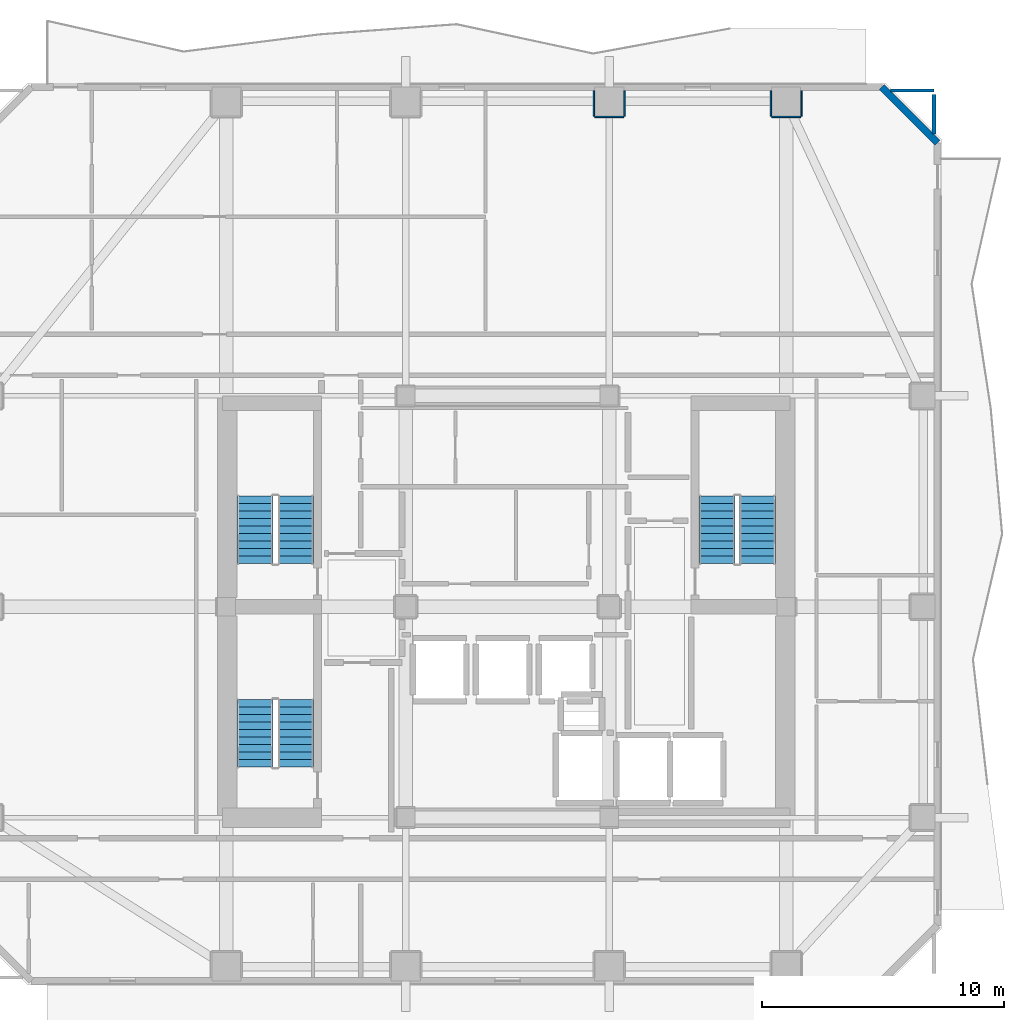
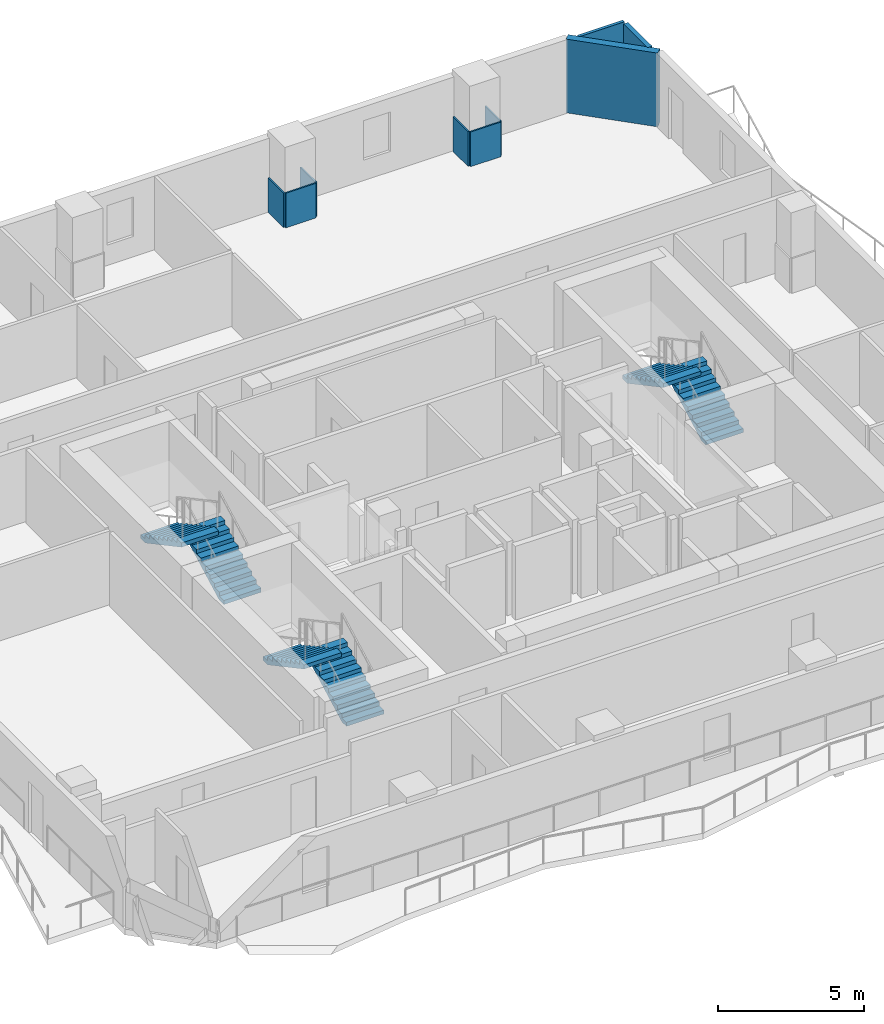
# One storey, part 6 of 10: 9 walls, 6 stair flights, 3 elements without a shape of their own.
"""IFC4 building model written with IfcOpenShell, lengths in metres."""

from ifc_helpers import new_model, si_unit, direction, frame, frame_2d, origin, place, context, subcontext, project, spatial, polyline, rectangle, outline, extrude, material, layer, layer_set, type_object, element, aggregate, save


model = new_model("IFC4")

# Units and contexts
model_context = context("Model", 3, precision=1e-05, world=origin(), true_north=direction((0.0, 1.0)))
body_context = subcontext(model_context, "Body", "Model", "MODEL_VIEW")
ifc_project = project(units=[si_unit("LENGTHUNIT", "METRE"), si_unit("AREAUNIT", "SQUARE_METRE"), si_unit("VOLUMEUNIT", "CUBIC_METRE"), si_unit("PLANEANGLEUNIT", "RADIAN"), si_unit("MASSUNIT", "GRAM", prefix="KILO")], contexts=[model_context])

# Site, building, storey
site_placement = place(None, origin())
site = spatial("IfcSite", under=ifc_project, at=site_placement, CompositionType="ELEMENT")
building_placement = place(site_placement, origin())
building = spatial("IfcBuilding", under=site, at=building_placement, Name="Solanera Arch Residences", CompositionType="ELEMENT")
storey_placement = place(building_placement, frame((0.0, 0.0, 183.52001953125)))
storey = spatial("IfcBuildingStorey", under=building, at=storey_placement, Name="L53", CompositionType="ELEMENT", Elevation=183.52001953125)

# Walls
ifc_material_1 = material(Name="Fire-Rated Gypsum Stud Partition", Category="gypsum")
ifc_layer_1 = layer(ifc_material_1, 0.06005859375)
ifc_layer_set_1 = layer_set([ifc_layer_1], Name="Fire-Rated Gypsum Stud Partition")
wall_type_1 = type_object("IfcWallType", Name="Column Acoustic Furring Wall 60", PredefinedType="PARTITIONING", material=ifc_layer_set_1)
wall_1_placement = place(storey_placement, frame((28.60009765625, 50.91796875, 0.0), z_axis=(0.0, 0.0, 1.0), x_axis=(1.0, 0.0, 0.0)))
element("IfcWall", 1, at=wall_1_placement, inside=storey, type_object=wall_type_1, Name="L53 Column Furring 14S", PredefinedType="PARTITIONING", context=body_context, shape_type="SweptSolid", body=[
    extrude(rectangle(XDim=1.199951171875, YDim=0.06005859375, at=frame_2d((0.60009765625, 0.0))), origin(), (0.0, 0.0, 1.0), 1.449951171875),
])
for number, where, z_axis, x_axis, name in (
    (2, (28.568115234375, 50.949951171875, 0.0), (0.0, 0.0, 1.0), (0.0, 1.0, 0.0), "L53 Column Furring 14W"),
    (3, (29.83203125, 50.949951171875, 0.0), (0.0, 0.0, 1.0), (0.0, 1.0, 0.0), "L53 Column Furring 14E"),
):
    element("IfcWall", number, at=place(storey_placement, frame(where, z_axis=z_axis, x_axis=x_axis)), inside=storey, type_object=wall_type_1, Name=name, PredefinedType="PARTITIONING", context=body_context, shape_type="SweptSolid", body=[
        extrude(rectangle(XDim=1.0400390625, YDim=0.06005859375, at=frame_2d((0.52001953125, 0.0))), origin(), (0.0, 0.0, 1.0), 1.449951171875),
    ])
wall_2_placement = place(storey_placement, frame((35.89990234375, 50.91796875, 0.0), z_axis=(0.0, 0.0, 1.0), x_axis=(1.0, 0.0, 0.0)))
element("IfcWall", 4, at=wall_2_placement, inside=storey, type_object=wall_type_1, Name="L53 Column Furring 16S", PredefinedType="PARTITIONING", context=body_context, shape_type="SweptSolid", body=[
    extrude(rectangle(XDim=1.2001953125, YDim=0.06005859375, at=frame_2d((0.60009765625, 0.0))), origin(), (0.0, 0.0, 1.0), 1.449951171875),
])
for number, where, z_axis, x_axis, name in (
    (5, (35.867919921875, 50.949951171875, 0.0), (0.0, 0.0, 1.0), (0.0, 1.0, 0.0), "L53 Column Furring 16W"),
    (6, (37.132080078125, 50.949951171875, 0.0), (0.0, 0.0, 1.0), (0.0, 1.0, 0.0), "L53 Column Furring 16E"),
):
    element("IfcWall", number, at=place(storey_placement, frame(where, z_axis=z_axis, x_axis=x_axis)), inside=storey, type_object=wall_type_1, Name=name, PredefinedType="PARTITIONING", context=body_context, shape_type="SweptSolid", body=[
        extrude(rectangle(XDim=1.0400390625, YDim=0.06005859375, at=frame_2d((0.52001953125, 0.0))), origin(), (0.0, 0.0, 1.0), 1.449951171875),
    ])
ifc_material_2 = material(Name="Autoclaved Aerated Concrete Blockwork", Category="masonry")
ifc_layer_2 = layer(ifc_material_2, 0.179931640625)
ifc_layer_set_2 = layer_set([ifc_layer_2], Name="Autoclaved Aerated Concrete Blockwork")
wall_type_2 = type_object("IfcWallType", Name="Corridor Fire Partition 180", PredefinedType="PARTITIONING", material=ifc_layer_set_2)
wall_3_placement = place(storey_placement, frame((42.60009765625, 50.205078125, 0.0), z_axis=(0.0, 0.0, 1.0), x_axis=(0.0, 1.0, 0.0)))
element("IfcWall", 7, at=wall_3_placement, inside=storey, type_object=wall_type_2, Name="L53 Interior Partition V10 2", PredefinedType="PARTITIONING", context=body_context, shape_type="SweptSolid", body=[
    extrude(rectangle(XDim=1.636962890625, YDim=0.179931640625, at=frame_2d((0.818359375, 0.0))), origin(), (0.0, 0.0, 1.0), 3.080078125),
])
ifc_material_3 = material(Name="Precast Concrete C35/45", Category="concrete")
ifc_layer_3 = layer(ifc_material_3, 0.280029296875)
ifc_layer_set_3 = layer_set([ifc_layer_3], Name="Precast Concrete C35/45")
wall_type_3 = type_object("IfcWallType", Name="Exterior Wall Precast Masonry-Frame 280", PredefinedType="STANDARD", material=ifc_layer_set_3)
wall_4_placement = place(storey_placement, frame((40.445068359375, 52.14501953125, 0.0), z_axis=(0.0, 0.0, 1.0), x_axis=(0.707106781187, -0.707106781187, 0.0)))
element("IfcWall", 8, at=wall_4_placement, inside=storey, type_object=wall_type_3, Name="L53 Tower Exterior Precast Masonry-Frame Wall CH3", PredefinedType="STANDARD", context=body_context, shape_type="SweptSolid", body=[
    extrude(rectangle(XDim=3.252685546875, YDim=0.280029296875, at=frame_2d((1.62646484375, 0.0))), origin(), (0.0, 0.0, 1.0), 3.080078125),
])
ifc_material_4 = material(Name="Fire-Rated Gypsum Stud Partition", Category="gypsum")
ifc_layer_4 = layer(ifc_material_4, 0.1201171875)
ifc_layer_set_4 = layer_set([ifc_layer_4], Name="Fire-Rated Gypsum Stud Partition")
wall_type_4 = type_object("IfcWallType", Name="Unit Drywall Partition 120", PredefinedType="PARTITIONING", material=ifc_layer_set_4)
wall_5_placement = place(storey_placement, frame((40.804931640625, 52.0, 0.0), z_axis=(0.0, 0.0, 1.0), x_axis=(1.0, 0.0, 0.0)))
element("IfcWall", 9, at=wall_5_placement, inside=storey, type_object=wall_type_4, Name="L53 Interior Partition H19 2", PredefinedType="PARTITIONING", context=body_context, shape_type="SweptSolid", body=[
    extrude(rectangle(XDim=1.795166015625, YDim=0.1201171875, at=frame_2d((0.8974609375, 0.0))), origin(), (0.0, 0.0, 1.0), 3.080078125),
])

# Stair, stair flights
ifc_material_5 = material(Name="Concrete C40/50 (f'c = 45 MPa)", Category="concrete")
stair_type = type_object("IfcStairType", Name="Tower Dogleg Exit Stair 1480", PredefinedType="HALF_TURN_STAIR", material=ifc_material_5)
stair_1_placement = place(storey_placement, origin())
stair_1 = element("IfcStair", 10, at=stair_1_placement, inside=storey, type_object=stair_type, Name="L53 Tower Core Exit Stair 1", PredefinedType="HALF_TURN_STAIR")
ifc_material_6 = material(Name="Concrete C40/50 (f'c = 45 MPa)", Category="concrete")
stair_flight_type = type_object("IfcStairFlightType", Name="Tower Precast Stair Flight 1480", PredefinedType="STRAIGHT", material=ifc_material_6)
stair_flight_1_placement = place(storey_placement, frame((16.260009765625, 32.47998046875, 0.0), z_axis=(0.0, 0.0, 1.0), x_axis=(0.0, 1.0, 0.0)))
stair_flight_1 = element("IfcStairFlight", 11, at=stair_flight_1_placement, type_object=stair_flight_type, Name="ST-T1 flight 1", NumberOfRisers=10, NumberOfTreads=9, PredefinedType="STRAIGHT", RiserHeight=0.166, TreadLength=0.31, context=body_context, shape_type="SweptSolid", body=[
    extrude(outline(polyline([(0.0, 0.0), (0.0, 0.166015625), (0.31005859375, 0.166015625), (0.31005859375, 0.33203125), (0.6201171875, 0.33203125), (0.6201171875, 0.498046875), (0.929931640625, 0.498046875), (0.929931640625, 0.6640625), (1.239990234375, 0.6640625), (1.239990234375, 0.830078125), (1.550048828125, 0.830078125), (1.550048828125, 0.99609375), (1.860107421875, 0.99609375), (1.860107421875, 1.162109375), (2.169921875, 1.162109375), (2.169921875, 1.327880859375), (2.47998046875, 1.327880859375), (2.47998046875, 1.493896484375), (2.7900390625, 1.493896484375), (2.7900390625, 1.659912109375), (2.7900390625, 1.323974609375), (0.317626953125, 0.0), (0.0, 0.0)])), frame((0.0, 0.739990234375, 0.0), z_axis=(0.0, -1.0, 0.0), x_axis=(1.0, 0.0, 0.0)), (0.0, 0.0, 1.0), 1.47998046875),
])
stair_flight_2_placement = place(storey_placement, frame((14.580078125, 35.27001953125, 1.659912109375), z_axis=(0.0, 0.0, 1.0), x_axis=(0.0, -1.0, 0.0)))
stair_flight_2 = element("IfcStairFlight", 12, at=stair_flight_2_placement, type_object=stair_flight_type, Name="ST-T1 flight 2", NumberOfRisers=10, NumberOfTreads=9, PredefinedType="STRAIGHT", RiserHeight=0.166, TreadLength=0.31, context=body_context, shape_type="SweptSolid", body=[
    extrude(outline(polyline([(0.0, 0.0), (0.0, 0.166015625), (0.31005859375, 0.166015625), (0.31005859375, 0.33203125), (0.6201171875, 0.33203125), (0.6201171875, 0.498046875), (0.929931640625, 0.498046875), (0.929931640625, 0.6640625), (1.239990234375, 0.6640625), (1.239990234375, 0.830078125), (1.550048828125, 0.830078125), (1.550048828125, 0.99609375), (1.860107421875, 0.99609375), (1.860107421875, 1.162109375), (2.169921875, 1.162109375), (2.169921875, 1.327880859375), (2.47998046875, 1.327880859375), (2.47998046875, 1.493896484375), (2.7900390625, 1.493896484375), (2.7900390625, 1.659912109375), (2.7900390625, 1.323974609375), (0.317626953125, 0.0), (0.0, 0.0)])), frame((0.0, 0.739990234375, 0.0), z_axis=(0.0, -1.0, 0.0), x_axis=(1.0, 0.0, 0.0)), (0.0, 0.0, 1.0), 1.47998046875),
])
aggregate(stair_1, [stair_flight_1, stair_flight_2])

stair_2_placement = place(storey_placement, origin())
stair_2 = element("IfcStair", 13, at=stair_2_placement, inside=storey, type_object=stair_type, Name="L53 Tower Core Exit Stair 2", PredefinedType="HALF_TURN_STAIR")
stair_flight_3_placement = place(storey_placement, frame((35.320068359375, 32.47998046875, 0.0), z_axis=(0.0, 0.0, 1.0), x_axis=(0.0, 1.0, 0.0)))
stair_flight_3 = element("IfcStairFlight", 14, at=stair_flight_3_placement, type_object=stair_flight_type, Name="ST-T2 flight 1", NumberOfRisers=10, NumberOfTreads=9, PredefinedType="STRAIGHT", RiserHeight=0.166, TreadLength=0.31, context=body_context, shape_type="SweptSolid", body=[
    extrude(outline(polyline([(0.0, 0.0), (0.0, 0.166015625), (0.31005859375, 0.166015625), (0.31005859375, 0.33203125), (0.6201171875, 0.33203125), (0.6201171875, 0.498046875), (0.929931640625, 0.498046875), (0.929931640625, 0.6640625), (1.239990234375, 0.6640625), (1.239990234375, 0.830078125), (1.550048828125, 0.830078125), (1.550048828125, 0.99609375), (1.860107421875, 0.99609375), (1.860107421875, 1.162109375), (2.169921875, 1.162109375), (2.169921875, 1.327880859375), (2.47998046875, 1.327880859375), (2.47998046875, 1.493896484375), (2.7900390625, 1.493896484375), (2.7900390625, 1.659912109375), (2.7900390625, 1.323974609375), (0.317626953125, 0.0), (0.0, 0.0)])), frame((0.0, 0.739990234375, 0.0), z_axis=(0.0, -1.0, 0.0), x_axis=(1.0, 0.0, 0.0)), (0.0, 0.0, 1.0), 1.47998046875),
])
stair_flight_4_placement = place(storey_placement, frame((33.639892578125, 35.27001953125, 1.659912109375), z_axis=(0.0, 0.0, 1.0), x_axis=(0.0, -1.0, 0.0)))
stair_flight_4 = element("IfcStairFlight", 15, at=stair_flight_4_placement, type_object=stair_flight_type, Name="ST-T2 flight 2", NumberOfRisers=10, NumberOfTreads=9, PredefinedType="STRAIGHT", RiserHeight=0.166, TreadLength=0.31, context=body_context, shape_type="SweptSolid", body=[
    extrude(outline(polyline([(0.0, 0.0), (0.0, 0.166015625), (0.31005859375, 0.166015625), (0.31005859375, 0.33203125), (0.6201171875, 0.33203125), (0.6201171875, 0.498046875), (0.929931640625, 0.498046875), (0.929931640625, 0.6640625), (1.239990234375, 0.6640625), (1.239990234375, 0.830078125), (1.550048828125, 0.830078125), (1.550048828125, 0.99609375), (1.860107421875, 0.99609375), (1.860107421875, 1.162109375), (2.169921875, 1.162109375), (2.169921875, 1.327880859375), (2.47998046875, 1.327880859375), (2.47998046875, 1.493896484375), (2.7900390625, 1.493896484375), (2.7900390625, 1.659912109375), (2.7900390625, 1.323974609375), (0.317626953125, 0.0), (0.0, 0.0)])), frame((0.0, 0.739990234375, 0.0), z_axis=(0.0, -1.0, 0.0), x_axis=(1.0, 0.0, 0.0)), (0.0, 0.0, 1.0), 1.47998046875),
])
aggregate(stair_2, [stair_flight_3, stair_flight_4])

stair_3_placement = place(storey_placement, origin())
stair_3 = element("IfcStair", 16, at=stair_3_placement, inside=storey, type_object=stair_type, Name="L53 Tower Core Exit Stair 3", PredefinedType="HALF_TURN_STAIR")
stair_flight_5_placement = place(storey_placement, frame((16.260009765625, 24.080078125, 0.0), z_axis=(0.0, 0.0, 1.0), x_axis=(0.0, 1.0, 0.0)))
stair_flight_5 = element("IfcStairFlight", 17, at=stair_flight_5_placement, type_object=stair_flight_type, Name="ST-T3 flight 1", NumberOfRisers=10, NumberOfTreads=9, PredefinedType="STRAIGHT", RiserHeight=0.166, TreadLength=0.31, context=body_context, shape_type="SweptSolid", body=[
    extrude(outline(polyline([(0.0, 0.0), (0.0, 0.166015625), (0.31005859375, 0.166015625), (0.31005859375, 0.33203125), (0.6201171875, 0.33203125), (0.6201171875, 0.498046875), (0.929931640625, 0.498046875), (0.929931640625, 0.6640625), (1.239990234375, 0.6640625), (1.239990234375, 0.830078125), (1.550048828125, 0.830078125), (1.550048828125, 0.99609375), (1.860107421875, 0.99609375), (1.860107421875, 1.162109375), (2.169921875, 1.162109375), (2.169921875, 1.327880859375), (2.47998046875, 1.327880859375), (2.47998046875, 1.493896484375), (2.7900390625, 1.493896484375), (2.7900390625, 1.659912109375), (2.7900390625, 1.323974609375), (0.317626953125, 0.0), (0.0, 0.0)])), frame((0.0, 0.739990234375, 0.0), z_axis=(0.0, -1.0, 0.0), x_axis=(1.0, 0.0, 0.0)), (0.0, 0.0, 1.0), 1.47998046875),
])
stair_flight_6_placement = place(storey_placement, frame((14.580078125, 26.8701171875, 1.659912109375), z_axis=(0.0, 0.0, 1.0), x_axis=(0.0, -1.0, 0.0)))
stair_flight_6 = element("IfcStairFlight", 18, at=stair_flight_6_placement, type_object=stair_flight_type, Name="ST-T3 flight 2", NumberOfRisers=10, NumberOfTreads=9, PredefinedType="STRAIGHT", RiserHeight=0.166, TreadLength=0.31, context=body_context, shape_type="SweptSolid", body=[
    extrude(outline(polyline([(0.0, 0.0), (0.0, 0.166015625), (0.31005859375, 0.166015625), (0.31005859375, 0.33203125), (0.6201171875, 0.33203125), (0.6201171875, 0.498046875), (0.929931640625, 0.498046875), (0.929931640625, 0.6640625), (1.239990234375, 0.6640625), (1.239990234375, 0.830078125), (1.550048828125, 0.830078125), (1.550048828125, 0.99609375), (1.860107421875, 0.99609375), (1.860107421875, 1.162109375), (2.169921875, 1.162109375), (2.169921875, 1.327880859375), (2.47998046875, 1.327880859375), (2.47998046875, 1.493896484375), (2.7900390625, 1.493896484375), (2.7900390625, 1.659912109375), (2.7900390625, 1.323974609375), (0.317626953125, 0.0), (0.0, 0.0)])), frame((0.0, 0.739990234375, 0.0), z_axis=(0.0, -1.0, 0.0), x_axis=(1.0, 0.0, 0.0)), (0.0, 0.0, 1.0), 1.47998046875),
])
aggregate(stair_3, [stair_flight_5, stair_flight_6])

save(model, "model.ifc")
